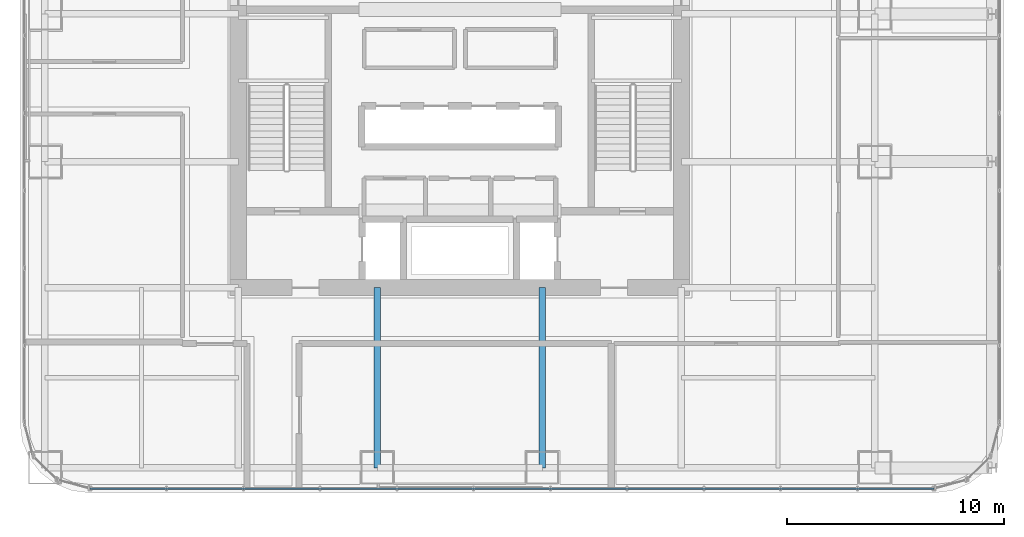
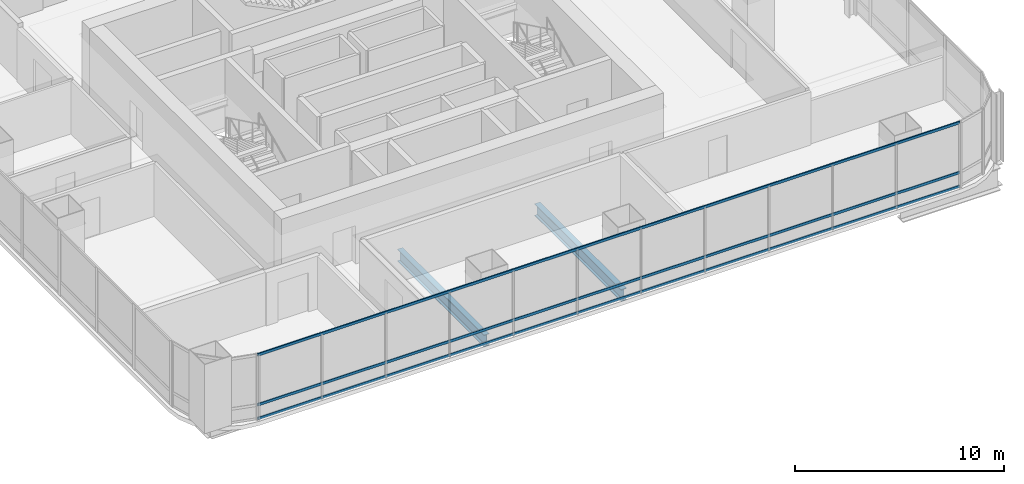
# One storey, part 6 of 34: 3 members, 2 beams, 1 element without a shape of its own.
"""IFC4 building model written with IfcOpenShell, lengths in metres."""

from ifc_helpers import new_model, si_unit, direction, frame, origin, origin_2d, place, context, subcontext, project, spatial, hollow_rectangle, i_section, extrude, material, material_profile, profile_set, type_object, element, aggregate, save


model = new_model("IFC4")

# Units and contexts
model_context = context("Model", 3, precision=1e-05, world=origin(), true_north=direction((0.0, 1.0)))
body_context = subcontext(model_context, "Body", "Model", "MODEL_VIEW")
ifc_project = project(units=[si_unit("LENGTHUNIT", "METRE"), si_unit("AREAUNIT", "SQUARE_METRE"), si_unit("VOLUMEUNIT", "CUBIC_METRE"), si_unit("PLANEANGLEUNIT", "RADIAN"), si_unit("MASSUNIT", "GRAM", prefix="KILO")], contexts=[model_context])

# Site, building, storey
site_placement = place(None, origin())
site = spatial("IfcSite", under=ifc_project, at=site_placement, CompositionType="ELEMENT")
building_placement = place(site_placement, origin())
building = spatial("IfcBuilding", under=site, at=building_placement, Name="Punatoya Terracotta Tower", CompositionType="ELEMENT")
storey_placement = place(building_placement, frame((0.0, 0.0, 101.10009765625)))
storey = spatial("IfcBuildingStorey", under=building, at=storey_placement, Name="L23", CompositionType="ELEMENT", Elevation=101.10009765625)

# Beams
ifc_material_1 = material(Name="Steel S355", Category="steel")
ifc_material_profile_1 = material_profile(ifc_material_1, i_section(OverallWidth=0.300048828125, OverallDepth=0.699951171875, WebThickness=0.01708984375, FlangeThickness=0.031982421875, FilletRadius=0.01806640625, at=origin_2d()))
ifc_profile_set_1 = profile_set([ifc_material_profile_1], Name="Steel S355")
beam_type = type_object("IfcBeamType", Name="BM-PRI-700", PredefinedType="BEAM", material=ifc_profile_set_1)
for number, where, z_axis, x_axis, name in (
    (1, (-3.800048828125, -17.5, -0.590087890625), (0.0, 1.0, 0.0), (-1.0, 0.0, 0.0), "BM-L23-PR-S2"),
    (2, (3.800048828125, -17.5, -0.590087890625), (0.0, 1.0, 0.0), (-1.0, 0.0, 0.0), "BM-L23-PR-S3"),
):
    element("IfcBeam", number, at=place(storey_placement, frame(where, z_axis=z_axis, x_axis=x_axis)), inside=storey, type_object=beam_type, Name=name, PredefinedType="BEAM", context=body_context, shape_type="SweptSolid", body=[
        extrude(i_section(OverallWidth=0.300048828125, OverallDepth=0.699951171875, WebThickness=0.01708984375, FlangeThickness=0.031982421875, FilletRadius=0.01806640625, at=origin_2d()), origin(), (0.0, 0.0, 1.0), 8.300048828125),
    ])

# Curtain wall, members
ifc_material_2 = material(Name="Aluminium 6063-T6 + Double Low-E Glass", Category="aluminium")
curtain_wall_type = type_object("IfcCurtainWallType", Name="CW-M1", PredefinedType="NOTDEFINED", material=ifc_material_2)
curtain_wall_placement = place(storey_placement, origin())
curtain_wall = element("IfcCurtainWall", 3, at=curtain_wall_placement, inside=storey, type_object=curtain_wall_type, Name="L23 Curtain Wall CW-L23-S01-1", PredefinedType="NOTDEFINED")
ifc_material_3 = material(Name="Aluminium 6063-T6", Category="aluminium")
ifc_material_profile_2 = material_profile(ifc_material_3, hollow_rectangle(XDim=0.068115234375, YDim=0.14990234375, WallThickness=0.00390625, at=origin_2d()))
ifc_profile_set_2 = profile_set([ifc_material_profile_2], Name="Aluminium 6063-T6")
member_type = type_object("IfcMemberType", Name="CW-TRN-TYP", PredefinedType="USERDEFINED", material=ifc_profile_set_2)
member_1_placement = place(storey_placement, frame((-17.036865234375, -18.449951171875, 0.039794921875), z_axis=(1.0, 0.0, 0.0), x_axis=(0.0, 1.0, 0.0)))
member_1 = element("IfcMember", 4, at=member_1_placement, type_object=member_type, Name="CW-L23-S01-1 Transom 1", ObjectType="TRANSOM", PredefinedType="USERDEFINED", context=body_context, shape_type="SweptSolid", body=[
    extrude(hollow_rectangle(XDim=0.068115234375, YDim=0.14990234375, WallThickness=0.00390625, at=origin_2d()), origin(), (0.0, 0.0, 1.0), 38.873779296875),
])
member_2_placement = place(storey_placement, frame((-17.036865234375, -18.449951171875, 0.849853515625), z_axis=(1.0, 0.0, 0.0), x_axis=(0.0, 1.0, 0.0)))
member_2 = element("IfcMember", 5, at=member_2_placement, type_object=member_type, Name="CW-L23-S01-1 Transom 2", ObjectType="TRANSOM", PredefinedType="USERDEFINED", context=body_context, shape_type="SweptSolid", body=[
    extrude(hollow_rectangle(XDim=0.068115234375, YDim=0.14990234375, WallThickness=0.00390625, at=origin_2d()), origin(), (0.0, 0.0, 1.0), 38.873779296875),
])
member_3_placement = place(storey_placement, frame((-17.036865234375, -18.449951171875, 3.77001953125), z_axis=(1.0, 0.0, 0.0), x_axis=(0.0, 1.0, 0.0)))
member_3 = element("IfcMember", 6, at=member_3_placement, type_object=member_type, Name="CW-L23-S01-1 Transom 3", ObjectType="TRANSOM", PredefinedType="USERDEFINED", context=body_context, shape_type="SweptSolid", body=[
    extrude(hollow_rectangle(XDim=0.068115234375, YDim=0.14990234375, WallThickness=0.00390625, at=origin_2d()), origin(), (0.0, 0.0, 1.0), 38.873779296875),
])
aggregate(curtain_wall, [member_1, member_2, member_3])

save(model, "model.ifc")
